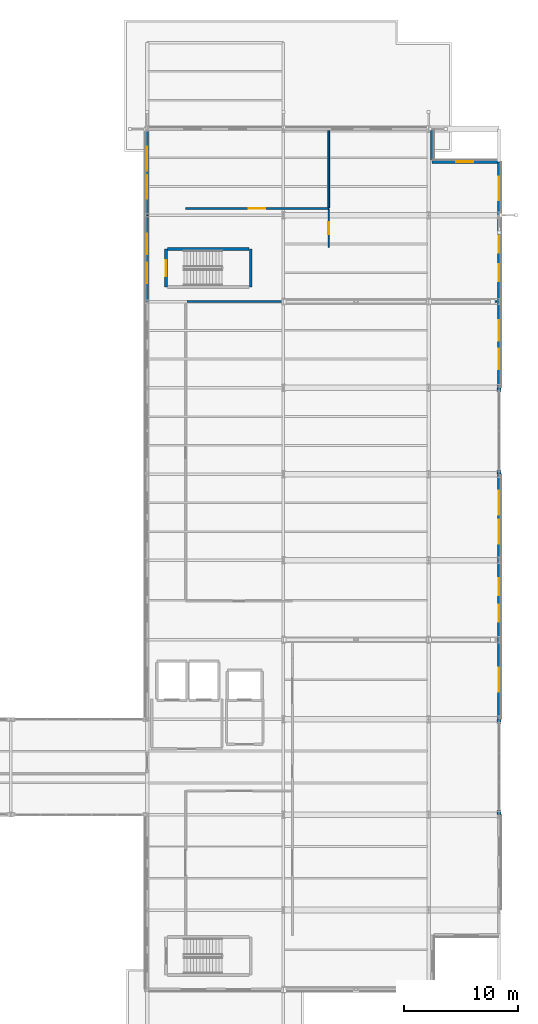
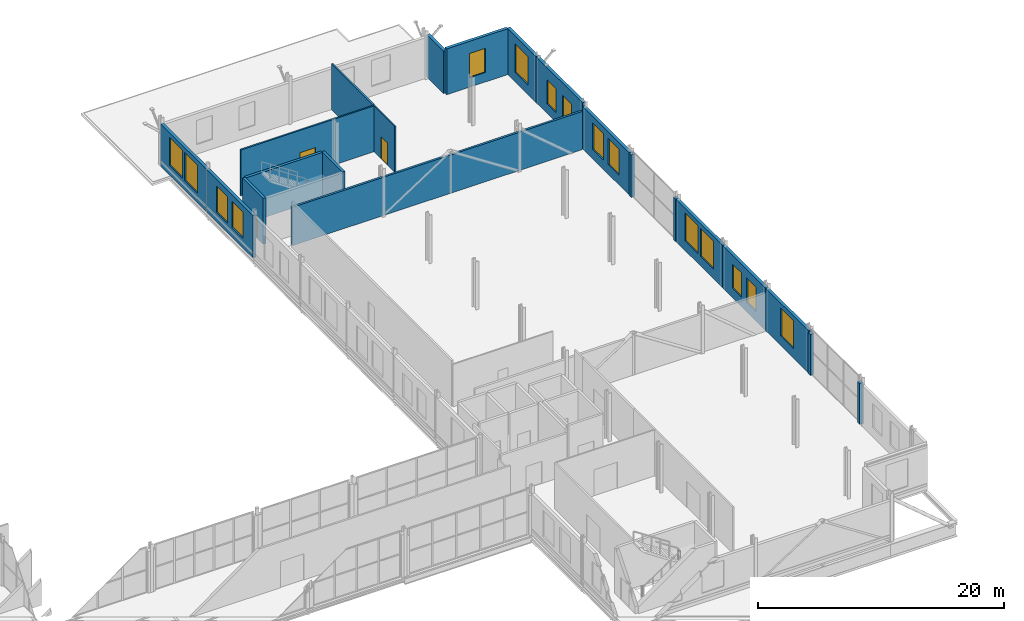
# One storey, part 102 of 120: 21 walls, 15 windows, 3 doors, 18 openings.
"""IFC4 building model written with IfcOpenShell, lengths in metres."""

from ifc_helpers import new_model, si_unit, direction, frame, frame_2d, origin, place, context, subcontext, project, spatial, rectangle, extrude, material, layer, layer_set, type_object, element, fill, save


model = new_model("IFC4")

# Units and contexts
model_context = context("Model", 3, precision=1e-05, world=origin(), true_north=direction((0.0, 1.0)))
body_context = subcontext(model_context, "Body", "Model", "MODEL_VIEW")
ifc_project = project(units=[si_unit("LENGTHUNIT", "METRE"), si_unit("AREAUNIT", "SQUARE_METRE"), si_unit("VOLUMEUNIT", "CUBIC_METRE"), si_unit("PLANEANGLEUNIT", "RADIAN"), si_unit("MASSUNIT", "GRAM", prefix="KILO")], contexts=[model_context])

# Site, building, storey
site_placement = place(None, origin())
site = spatial("IfcSite", under=ifc_project, at=site_placement, CompositionType="ELEMENT")
building_placement = place(site_placement, origin())
building = spatial("IfcBuilding", under=site, at=building_placement, Name="Vekula Escarpment Museum", CompositionType="ELEMENT")
storey_placement = place(building_placement, frame((0.0, 0.0, 13.199951171875)))
storey = spatial("IfcBuildingStorey", under=building, at=storey_placement, Name="L03", CompositionType="ELEMENT", Elevation=13.199951171875)

# Walls
ifc_material_1 = material(Name="Inkisi arkosic sandstone masonry", Category="masonry")
ifc_layer_1 = layer(ifc_material_1, 0.35009765625)
ifc_layer_set_1 = layer_set([ifc_layer_1], Name="Inkisi arkosic sandstone masonry")
wall_type_1 = type_object("IfcWallType", Name="WL-ALM-350", PredefinedType="SOLIDWALL", material=ifc_layer_set_1)
wall_1_placement = place(storey_placement, frame((198.0, 68.0, 0.0), z_axis=(0.0, 0.0, 1.0), x_axis=(0.0, 1.0, 0.0)))
element("IfcWall", 1, at=wall_1_placement, inside=storey, type_object=wall_type_1, Name="Facade Jamb Pier L03-0600A", PredefinedType="SOLIDWALL", context=body_context, shape_type="SweptSolid", body=[
    extrude(rectangle(XDim=0.360107421875, YDim=0.35009765625, at=frame_2d((0.18017578125, 0.0))), origin(), (0.0, 0.0, 1.0), 4.06494140625),
])
wall_2_placement = place(storey_placement, frame((198.0, 76.0400390625, 0.0), z_axis=(0.0, 0.0, 1.0), x_axis=(0.0, 1.0, 0.0)))
element("IfcWall", 2, at=wall_2_placement, inside=storey, type_object=wall_type_1, Name="Facade Jamb Pier L03-0601B", PredefinedType="SOLIDWALL", context=body_context, shape_type="SweptSolid", body=[
    extrude(rectangle(XDim=0.35986328125, YDim=0.35009765625, at=frame_2d((0.179931640625, 0.0))), origin(), (0.0, 0.0, 1.0), 4.06494140625),
])
for number, where, z_axis, x_axis, name in (
    (3, (198.0, 98.0, 0.0), (0.0, 0.0, 1.0), (0.0, 1.0, 0.0), "Facade Jamb Pier L03-0605A"),
    (4, (198.0, 105.239990234375, 0.0), (0.0, 0.0, 1.0), (0.0, 1.0, 0.0), "Facade Jamb Pier L03-0606B"),
):
    element("IfcWall", number, at=place(storey_placement, frame(where, z_axis=z_axis, x_axis=x_axis)), inside=storey, type_object=wall_type_1, Name=name, PredefinedType="SOLIDWALL", context=body_context, shape_type="SweptSolid", body=[
        extrude(rectangle(XDim=0.360107421875, YDim=0.35009765625, at=frame_2d((0.18017578125, 0.0))), origin(), (0.0, 0.0, 1.0), 4.215087890625),
    ])

# Wall, opening, door
ifc_material_2 = material(Name="Concrete C35/45", Category="concrete")
ifc_layer_2 = layer(ifc_material_2, 0.25)
ifc_layer_set_2 = layer_set([ifc_layer_2], Name="Concrete C35/45")
wall_type_2 = type_object("IfcWallType", Name="WL-CORE-250", PredefinedType="SHEAR", material=ifc_layer_set_2)
wall_3_placement = place(storey_placement, frame((168.675048828125, 114.47509765625, 0.0), z_axis=(0.0, 0.0, 1.0), x_axis=(0.0, 1.0, 0.0)))
wall_3 = element("IfcWall", 5, at=wall_3_placement, inside=storey, type_object=wall_type_2, Name="Stair Core Wall ST-05 L03 W", PredefinedType="SHEAR", context=body_context, shape_type="SweptSolid", body=[
    extrude(rectangle(XDim=3.349853515625, YDim=0.25, at=frame_2d((1.6748046875, 0.0))), origin(), (0.0, 0.0, 1.0), 4.56005859375),
])
opening_1_placement = place(wall_3_placement, frame((0.97509765625, 0.0, 0.0)))
opening_1 = element("IfcOpeningElement", 6, at=opening_1_placement, cuts=wall_3, Name="Opening DR-FD60", PredefinedType="OPENING", context=body_context, shape_type="SweptSolid", body=[
    extrude(rectangle(XDim=1.39990234375, YDim=2.199951171875, at=frame_2d((0.699951171875, 1.10009765625))), frame((0.0, 0.135009765625, 0.0), z_axis=(0.0, -1.0, 0.0), x_axis=(1.0, 0.0, 0.0)), (0.0, 0.0, 1.0), 0.27001953125),
])
ifc_material_3 = material(Name="Fire-rated steel stair door", Category="steel")
door_type_1 = type_object("IfcDoorType", Name="DR-STAIR-1400x2200", OperationType="NOTDEFINED", PredefinedType="DOOR", material=ifc_material_3)
door_1_placement = place(opening_1_placement, origin())
door_1 = element("IfcDoor", 7, at=door_1_placement, inside=storey, type_object=door_type_1, Name="Protected Exit Stair Door ST-05 L03", OperationType="SINGLE_SWING_RIGHT", OverallHeight=2.199951171875, OverallWidth=1.39990234375, PredefinedType="DOOR", context=body_context, shape_type="SweptSolid", body=[
    extrude(rectangle(XDim=1.39990234375, YDim=2.199951171875, at=frame_2d((0.699951171875, 1.10009765625))), frame((0.0, 0.02490234375, 0.0), z_axis=(0.0, -1.0, 0.0), x_axis=(1.0, 0.0, 0.0)), (0.0, 0.0, 1.0), 0.050048828125),
])
fill(opening_1, door_1)

# Walls
wall_4_placement = place(storey_placement, frame((176.125, 114.47509765625, 0.0), z_axis=(0.0, 0.0, 1.0), x_axis=(0.0, 1.0, 0.0)))
element("IfcWall", 8, at=wall_4_placement, inside=storey, type_object=wall_type_2, Name="Stair Core Wall ST-05 L03 E", PredefinedType="SHEAR", context=body_context, shape_type="SweptSolid", body=[
    extrude(rectangle(XDim=3.349853515625, YDim=0.25, at=frame_2d((1.6748046875, 0.0))), origin(), (0.0, 0.0, 1.0), 4.56005859375),
])
wall_5_placement = place(storey_placement, frame((168.803955078125, 117.824951171875, 0.0), z_axis=(0.0, 0.0, 1.0), x_axis=(1.0, 0.0, 0.0)))
element("IfcWall", 9, at=wall_5_placement, inside=storey, type_object=wall_type_2, Name="Stair Core Wall ST-05 L03 N", PredefinedType="SHEAR", context=body_context, shape_type="SweptSolid", body=[
    extrude(rectangle(XDim=7.192138671875, YDim=0.25, at=frame_2d((3.59619140625, 0.0))), origin(), (0.0, 0.0, 1.0), 4.56005859375),
])

# Wall, opening, window
ifc_material_4 = material(Name="Inkisi arkosic sandstone masonry", Category="masonry")
ifc_layer_3 = layer(ifc_material_4, 0.280029296875)
ifc_layer_set_3 = layer_set([ifc_layer_3], Name="Inkisi arkosic sandstone masonry")
wall_type_3 = type_object("IfcWallType", Name="WL-CUM-280", PredefinedType="SOLIDWALL", material=ifc_layer_set_3)
wall_6_placement = place(storey_placement, frame((198.0, 83.39990234375, 0.0), z_axis=(0.0, 0.0, 1.0), x_axis=(0.0, -1.0, 0.0)))
wall_6 = element("IfcWall", 10, at=wall_6_placement, inside=storey, type_object=wall_type_3, Name="Exterior Wall WL-EXT-L03-0602", PredefinedType="SOLIDWALL", context=body_context, shape_type="SweptSolid", body=[
    extrude(rectangle(XDim=7.0, YDim=0.280029296875, at=frame_2d((3.5, 0.0))), origin(), (0.0, 0.0, 1.0), 4.215087890625),
])
opening_2_placement = place(wall_6_placement, frame((2.449951171875, 0.0, 0.949951171875)))
opening_2 = element("IfcOpeningElement", 11, at=opening_2_placement, cuts=wall_6, Name="Opening WN-08", PredefinedType="OPENING", context=body_context, shape_type="SweptSolid", body=[
    extrude(rectangle(XDim=2.10009765625, YDim=2.800048828125, at=frame_2d((1.050048828125, 1.39990234375))), frame((0.0, 0.14990234375, 0.0), z_axis=(0.0, -1.0, 0.0), x_axis=(1.0, 0.0, 0.0)), (0.0, 0.0, 1.0), 0.300048828125),
])
ifc_material_5 = material(Name="Double solar-control low-E glass", Category="glass")
window_type_1 = type_object("IfcWindowType", Name="WN-CUMBA-21x28", PartitioningType="DOUBLE_PANEL_VERTICAL", PredefinedType="WINDOW", material=ifc_material_5)
window_1_placement = place(opening_2_placement, origin())
window_1 = element("IfcWindow", 12, at=window_1_placement, inside=storey, type_object=window_type_1, Name="Window L03-0279", OverallHeight=2.800048828125, OverallWidth=2.10009765625, PartitioningType="SINGLE_PANEL", PredefinedType="WINDOW", context=body_context, shape_type="SweptSolid", body=[
    extrude(rectangle(XDim=2.10009765625, YDim=2.800048828125, at=frame_2d((1.050048828125, 1.39990234375))), frame((0.0, 0.030029296875, 0.0), z_axis=(0.0, -1.0, 0.0), x_axis=(1.0, 0.0, 0.0)), (0.0, 0.0, 1.0), 0.06005859375),
])
fill(opening_2, window_1)

# Wall, openings, windows
wall_7_placement = place(storey_placement, frame((198.0, 90.39990234375, 0.0), z_axis=(0.0, 0.0, 1.0), x_axis=(0.0, -1.0, 0.0)))
wall_7 = element("IfcWall", 13, at=wall_7_placement, inside=storey, type_object=wall_type_3, Name="Exterior Wall WL-EXT-L03-0603", PredefinedType="SOLIDWALL", context=body_context, shape_type="SweptSolid", body=[
    extrude(rectangle(XDim=7.0, YDim=0.280029296875, at=frame_2d((3.5, 0.0))), origin(), (0.0, 0.0, 1.0), 4.215087890625),
])
opening_3_placement = place(wall_7_placement, frame((1.583251953125, 0.0, 0.949951171875)))
opening_3 = element("IfcOpeningElement", 14, at=opening_3_placement, cuts=wall_7, Name="Opening WN-06", PredefinedType="OPENING", context=body_context, shape_type="SweptSolid", body=[
    extrude(rectangle(XDim=1.5, YDim=2.39990234375, at=frame_2d((0.75, 1.199951171875))), frame((0.0, 0.14990234375, 0.0), z_axis=(0.0, -1.0, 0.0), x_axis=(1.0, 0.0, 0.0)), (0.0, 0.0, 1.0), 0.300048828125),
])
opening_4_placement = place(wall_7_placement, frame((3.916748046875, 0.0, 0.949951171875)))
opening_4 = element("IfcOpeningElement", 15, at=opening_4_placement, cuts=wall_7, Name="Opening WN-06", PredefinedType="OPENING", context=body_context, shape_type="SweptSolid", body=[
    extrude(rectangle(XDim=1.5, YDim=2.39990234375, at=frame_2d((0.75, 1.199951171875))), frame((0.0, 0.14990234375, 0.0), z_axis=(0.0, -1.0, 0.0), x_axis=(1.0, 0.0, 0.0)), (0.0, 0.0, 1.0), 0.300048828125),
])
ifc_material_6 = material(Name="Double solar-control low-E glass", Category="glass")
window_type_2 = type_object("IfcWindowType", Name="WN-CUMBA-15x24", PartitioningType="SINGLE_PANEL", PredefinedType="WINDOW", material=ifc_material_6)
window_2_placement = place(opening_3_placement, origin())
window_2 = element("IfcWindow", 16, at=window_2_placement, inside=storey, type_object=window_type_2, Name="Window L03-0280", OverallHeight=2.39990234375, OverallWidth=1.5, PartitioningType="SINGLE_PANEL", PredefinedType="WINDOW", context=body_context, shape_type="SweptSolid", body=[
    extrude(rectangle(XDim=1.5, YDim=2.39990234375, at=frame_2d((0.75, 1.199951171875))), frame((0.0, 0.030029296875, 0.0), z_axis=(0.0, -1.0, 0.0), x_axis=(1.0, 0.0, 0.0)), (0.0, 0.0, 1.0), 0.06005859375),
])
fill(opening_3, window_2)
window_3_placement = place(opening_4_placement, origin())
window_3 = element("IfcWindow", 17, at=window_3_placement, inside=storey, type_object=window_type_2, Name="Window L03-0281", OverallHeight=2.39990234375, OverallWidth=1.5, PartitioningType="SINGLE_PANEL", PredefinedType="WINDOW", context=body_context, shape_type="SweptSolid", body=[
    extrude(rectangle(XDim=1.5, YDim=2.39990234375, at=frame_2d((0.75, 1.199951171875))), frame((0.0, 0.030029296875, 0.0), z_axis=(0.0, -1.0, 0.0), x_axis=(1.0, 0.0, 0.0)), (0.0, 0.0, 1.0), 0.06005859375),
])
fill(opening_4, window_3)

wall_8_placement = place(storey_placement, frame((198.0, 98.0, 0.0), z_axis=(0.0, 0.0, 1.0), x_axis=(0.0, -1.0, 0.0)))
wall_8 = element("IfcWall", 18, at=wall_8_placement, inside=storey, type_object=wall_type_3, Name="Exterior Wall WL-EXT-L03-0604", PredefinedType="SOLIDWALL", context=body_context, shape_type="SweptSolid", body=[
    extrude(rectangle(XDim=7.60009765625, YDim=0.280029296875, at=frame_2d((3.800048828125, 0.0))), origin(), (0.0, 0.0, 1.0), 4.215087890625),
])
opening_5_placement = place(wall_8_placement, frame((1.4833984375, 0.0, 0.949951171875)))
opening_5 = element("IfcOpeningElement", 19, at=opening_5_placement, cuts=wall_8, Name="Opening WN-08", PredefinedType="OPENING", context=body_context, shape_type="SweptSolid", body=[
    extrude(rectangle(XDim=2.10009765625, YDim=2.800048828125, at=frame_2d((1.050048828125, 1.39990234375))), frame((0.0, 0.14990234375, 0.0), z_axis=(0.0, -1.0, 0.0), x_axis=(1.0, 0.0, 0.0)), (0.0, 0.0, 1.0), 0.300048828125),
])
opening_6_placement = place(wall_8_placement, frame((4.0166015625, 0.0, 0.949951171875)))
opening_6 = element("IfcOpeningElement", 20, at=opening_6_placement, cuts=wall_8, Name="Opening WN-08", PredefinedType="OPENING", context=body_context, shape_type="SweptSolid", body=[
    extrude(rectangle(XDim=2.10009765625, YDim=2.800048828125, at=frame_2d((1.050048828125, 1.39990234375))), frame((0.0, 0.14990234375, 0.0), z_axis=(0.0, -1.0, 0.0), x_axis=(1.0, 0.0, 0.0)), (0.0, 0.0, 1.0), 0.300048828125),
])
window_4_placement = place(opening_5_placement, origin())
window_4 = element("IfcWindow", 21, at=window_4_placement, inside=storey, type_object=window_type_1, Name="Window L03-0282", OverallHeight=2.800048828125, OverallWidth=2.10009765625, PartitioningType="SINGLE_PANEL", PredefinedType="WINDOW", context=body_context, shape_type="SweptSolid", body=[
    extrude(rectangle(XDim=2.10009765625, YDim=2.800048828125, at=frame_2d((1.050048828125, 1.39990234375))), frame((0.0, 0.030029296875, 0.0), z_axis=(0.0, -1.0, 0.0), x_axis=(1.0, 0.0, 0.0)), (0.0, 0.0, 1.0), 0.06005859375),
])
fill(opening_5, window_4)
window_5_placement = place(opening_6_placement, origin())
window_5 = element("IfcWindow", 22, at=window_5_placement, inside=storey, type_object=window_type_1, Name="Window L03-0283", OverallHeight=2.800048828125, OverallWidth=2.10009765625, PartitioningType="SINGLE_PANEL", PredefinedType="WINDOW", context=body_context, shape_type="SweptSolid", body=[
    extrude(rectangle(XDim=2.10009765625, YDim=2.800048828125, at=frame_2d((1.050048828125, 1.39990234375))), frame((0.0, 0.030029296875, 0.0), z_axis=(0.0, -1.0, 0.0), x_axis=(1.0, 0.0, 0.0)), (0.0, 0.0, 1.0), 0.06005859375),
])
fill(opening_6, window_5)

wall_9_placement = place(storey_placement, frame((198.0, 113.199951171875, 0.0), z_axis=(0.0, 0.0, 1.0), x_axis=(0.0, -1.0, 0.0)))
wall_9 = element("IfcWall", 23, at=wall_9_placement, inside=storey, type_object=wall_type_3, Name="Exterior Wall WL-EXT-L03-0607", PredefinedType="SOLIDWALL", context=body_context, shape_type="SweptSolid", body=[
    extrude(rectangle(XDim=7.599853515625, YDim=0.280029296875, at=frame_2d((3.7998046875, 0.0))), origin(), (0.0, 0.0, 1.0), 4.215087890625),
])
opening_7_placement = place(wall_9_placement, frame((1.63330078125, 0.0, 0.949951171875)))
opening_7 = element("IfcOpeningElement", 24, at=opening_7_placement, cuts=wall_9, Name="Opening WN-07", PredefinedType="OPENING", context=body_context, shape_type="SweptSolid", body=[
    extrude(rectangle(XDim=1.800048828125, YDim=2.60009765625, at=frame_2d((0.89990234375, 1.300048828125))), frame((0.0, 0.14990234375, 0.0), z_axis=(0.0, -1.0, 0.0), x_axis=(1.0, 0.0, 0.0)), (0.0, 0.0, 1.0), 0.300048828125),
])
opening_8_placement = place(wall_9_placement, frame((4.166748046875, 0.0, 0.949951171875)))
opening_8 = element("IfcOpeningElement", 25, at=opening_8_placement, cuts=wall_9, Name="Opening WN-07", PredefinedType="OPENING", context=body_context, shape_type="SweptSolid", body=[
    extrude(rectangle(XDim=1.800048828125, YDim=2.60009765625, at=frame_2d((0.89990234375, 1.300048828125))), frame((0.0, 0.14990234375, 0.0), z_axis=(0.0, -1.0, 0.0), x_axis=(1.0, 0.0, 0.0)), (0.0, 0.0, 1.0), 0.300048828125),
])
ifc_material_7 = material(Name="Double solar-control low-E glass", Category="glass")
window_type_3 = type_object("IfcWindowType", Name="WN-CUMBA-18x26", PartitioningType="DOUBLE_PANEL_VERTICAL", PredefinedType="WINDOW", material=ifc_material_7)
window_6_placement = place(opening_7_placement, origin())
window_6 = element("IfcWindow", 26, at=window_6_placement, inside=storey, type_object=window_type_3, Name="Window L03-0284", OverallHeight=2.60009765625, OverallWidth=1.800048828125, PartitioningType="SINGLE_PANEL", PredefinedType="WINDOW", context=body_context, shape_type="SweptSolid", body=[
    extrude(rectangle(XDim=1.800048828125, YDim=2.60009765625, at=frame_2d((0.89990234375, 1.300048828125))), frame((0.0, 0.030029296875, 0.0), z_axis=(0.0, -1.0, 0.0), x_axis=(1.0, 0.0, 0.0)), (0.0, 0.0, 1.0), 0.06005859375),
])
fill(opening_7, window_6)
window_7_placement = place(opening_8_placement, origin())
window_7 = element("IfcWindow", 27, at=window_7_placement, inside=storey, type_object=window_type_3, Name="Window L03-0285", OverallHeight=2.60009765625, OverallWidth=1.800048828125, PartitioningType="SINGLE_PANEL", PredefinedType="WINDOW", context=body_context, shape_type="SweptSolid", body=[
    extrude(rectangle(XDim=1.800048828125, YDim=2.60009765625, at=frame_2d((0.89990234375, 1.300048828125))), frame((0.0, 0.030029296875, 0.0), z_axis=(0.0, -1.0, 0.0), x_axis=(1.0, 0.0, 0.0)), (0.0, 0.0, 1.0), 0.06005859375),
])
fill(opening_8, window_7)

wall_10_placement = place(storey_placement, frame((198.0, 120.800048828125, 0.0), z_axis=(0.0, 0.0, 1.0), x_axis=(0.0, -1.0, 0.0)))
wall_10 = element("IfcWall", 28, at=wall_10_placement, inside=storey, type_object=wall_type_3, Name="Exterior Wall WL-EXT-L03-0608", PredefinedType="SOLIDWALL", context=body_context, shape_type="SweptSolid", body=[
    extrude(rectangle(XDim=7.60009765625, YDim=0.280029296875, at=frame_2d((3.800048828125, 0.0))), origin(), (0.0, 0.0, 1.0), 4.56005859375),
])
opening_9_placement = place(wall_10_placement, frame((1.783203125, 0.0, 0.949951171875)))
opening_9 = element("IfcOpeningElement", 29, at=opening_9_placement, cuts=wall_10, Name="Opening WN-06", PredefinedType="OPENING", context=body_context, shape_type="SweptSolid", body=[
    extrude(rectangle(XDim=1.5, YDim=2.39990234375, at=frame_2d((0.75, 1.199951171875))), frame((0.0, 0.14990234375, 0.0), z_axis=(0.0, -1.0, 0.0), x_axis=(1.0, 0.0, 0.0)), (0.0, 0.0, 1.0), 0.300048828125),
])
opening_10_placement = place(wall_10_placement, frame((4.316650390625, 0.0, 0.949951171875)))
opening_10 = element("IfcOpeningElement", 30, at=opening_10_placement, cuts=wall_10, Name="Opening WN-06", PredefinedType="OPENING", context=body_context, shape_type="SweptSolid", body=[
    extrude(rectangle(XDim=1.5, YDim=2.39990234375, at=frame_2d((0.75, 1.199951171875))), frame((0.0, 0.14990234375, 0.0), z_axis=(0.0, -1.0, 0.0), x_axis=(1.0, 0.0, 0.0)), (0.0, 0.0, 1.0), 0.300048828125),
])
window_8_placement = place(opening_9_placement, origin())
window_8 = element("IfcWindow", 31, at=window_8_placement, inside=storey, type_object=window_type_2, Name="Window L03-0286", OverallHeight=2.39990234375, OverallWidth=1.5, PartitioningType="SINGLE_PANEL", PredefinedType="WINDOW", context=body_context, shape_type="SweptSolid", body=[
    extrude(rectangle(XDim=1.5, YDim=2.39990234375, at=frame_2d((0.75, 1.199951171875))), frame((0.0, 0.030029296875, 0.0), z_axis=(0.0, -1.0, 0.0), x_axis=(1.0, 0.0, 0.0)), (0.0, 0.0, 1.0), 0.06005859375),
])
fill(opening_9, window_8)
window_9_placement = place(opening_10_placement, origin())
window_9 = element("IfcWindow", 32, at=window_9_placement, inside=storey, type_object=window_type_2, Name="Window L03-0287", OverallHeight=2.39990234375, OverallWidth=1.5, PartitioningType="SINGLE_PANEL", PredefinedType="WINDOW", context=body_context, shape_type="SweptSolid", body=[
    extrude(rectangle(XDim=1.5, YDim=2.39990234375, at=frame_2d((0.75, 1.199951171875))), frame((0.0, 0.030029296875, 0.0), z_axis=(0.0, -1.0, 0.0), x_axis=(1.0, 0.0, 0.0)), (0.0, 0.0, 1.0), 0.06005859375),
])
fill(opening_10, window_9)

# Wall, opening, window
wall_11_placement = place(storey_placement, frame((198.0, 125.511962890625, 0.0), z_axis=(0.0, 0.0, 1.0), x_axis=(0.0, -1.0, 0.0)))
wall_11 = element("IfcWall", 33, at=wall_11_placement, inside=storey, type_object=wall_type_3, Name="Exterior Wall WL-EXT-L03-0609", PredefinedType="SOLIDWALL", context=body_context, shape_type="SweptSolid", body=[
    extrude(rectangle(XDim=4.7119140625, YDim=0.280029296875, at=frame_2d((2.35595703125, 0.0))), origin(), (0.0, 0.0, 1.0), 4.56005859375),
])
opening_11_placement = place(wall_11_placement, frame((1.305908203125, 0.0, 0.949951171875)))
opening_11 = element("IfcOpeningElement", 34, at=opening_11_placement, cuts=wall_11, Name="Opening WN-08", PredefinedType="OPENING", context=body_context, shape_type="SweptSolid", body=[
    extrude(rectangle(XDim=2.10009765625, YDim=2.800048828125, at=frame_2d((1.050048828125, 1.39990234375))), frame((0.0, 0.14990234375, 0.0), z_axis=(0.0, -1.0, 0.0), x_axis=(1.0, 0.0, 0.0)), (0.0, 0.0, 1.0), 0.300048828125),
])
window_10_placement = place(opening_11_placement, origin())
window_10 = element("IfcWindow", 35, at=window_10_placement, inside=storey, type_object=window_type_1, Name="Window L03-0288", OverallHeight=2.800048828125, OverallWidth=2.10009765625, PartitioningType="SINGLE_PANEL", PredefinedType="WINDOW", context=body_context, shape_type="SweptSolid", body=[
    extrude(rectangle(XDim=2.10009765625, YDim=2.800048828125, at=frame_2d((1.050048828125, 1.39990234375))), frame((0.0, 0.030029296875, 0.0), z_axis=(0.0, -1.0, 0.0), x_axis=(1.0, 0.0, 0.0)), (0.0, 0.0, 1.0), 0.06005859375),
])
fill(opening_11, window_10)

wall_12_placement = place(storey_placement, frame((192.110107421875, 125.511962890625, 0.0), z_axis=(0.0, 0.0, 1.0), x_axis=(1.0, 0.0, 0.0)))
wall_12 = element("IfcWall", 36, at=wall_12_placement, inside=storey, type_object=wall_type_3, Name="Exterior Wall WL-EXT-L03-0610", PredefinedType="SOLIDWALL", context=body_context, shape_type="SweptSolid", body=[
    extrude(rectangle(XDim=5.745849609375, YDim=0.280029296875, at=frame_2d((2.873046875, 0.0))), origin(), (0.0, 0.0, 1.0), 4.56005859375),
])
opening_12_placement = place(wall_12_placement, frame((2.123046875, 0.0, 0.949951171875)))
opening_12 = element("IfcOpeningElement", 37, at=opening_12_placement, cuts=wall_12, Name="Opening WN-06", PredefinedType="OPENING", context=body_context, shape_type="SweptSolid", body=[
    extrude(rectangle(XDim=1.5, YDim=2.39990234375, at=frame_2d((0.75, 1.199951171875))), frame((0.0, 0.14990234375, 0.0), z_axis=(0.0, -1.0, 0.0), x_axis=(1.0, 0.0, 0.0)), (0.0, 0.0, 1.0), 0.300048828125),
])
window_11_placement = place(opening_12_placement, origin())
window_11 = element("IfcWindow", 38, at=window_11_placement, inside=storey, type_object=window_type_2, Name="Window L03-0289", OverallHeight=2.39990234375, OverallWidth=1.5, PartitioningType="SINGLE_PANEL", PredefinedType="WINDOW", context=body_context, shape_type="SweptSolid", body=[
    extrude(rectangle(XDim=1.5, YDim=2.39990234375, at=frame_2d((0.75, 1.199951171875))), frame((0.0, 0.030029296875, 0.0), z_axis=(0.0, -1.0, 0.0), x_axis=(1.0, 0.0, 0.0)), (0.0, 0.0, 1.0), 0.06005859375),
])
fill(opening_12, window_11)

# Wall
wall_13_placement = place(storey_placement, frame((192.110107421875, 128.39990234375, 0.0), z_axis=(0.0, 0.0, 1.0), x_axis=(0.0, -1.0, 0.0)))
element("IfcWall", 39, at=wall_13_placement, inside=storey, type_object=wall_type_3, Name="Exterior Wall WL-EXT-L03-0611", PredefinedType="SOLIDWALL", context=body_context, shape_type="SweptSolid", body=[
    extrude(rectangle(XDim=2.743896484375, YDim=0.280029296875, at=frame_2d((1.3720703125, 0.0))), origin(), (0.0, 0.0, 1.0), 4.215087890625),
])

# Wall, openings, windows
wall_14_placement = place(storey_placement, frame((167.0, 120.800048828125, 0.0), z_axis=(0.0, 0.0, 1.0), x_axis=(0.0, 1.0, 0.0)))
wall_14 = element("IfcWall", 40, at=wall_14_placement, inside=storey, type_object=wall_type_3, Name="Exterior Wall WL-EXT-L03-0614", PredefinedType="SOLIDWALL", context=body_context, shape_type="SweptSolid", body=[
    extrude(rectangle(XDim=7.4560546875, YDim=0.280029296875, at=frame_2d((3.72802734375, 0.0))), origin(), (0.0, 0.0, 1.0), 4.215087890625),
])
opening_13_placement = place(wall_14_placement, frame((1.435302734375, 0.0, 0.949951171875)))
opening_13 = element("IfcOpeningElement", 41, at=opening_13_placement, cuts=wall_14, Name="Opening WN-08", PredefinedType="OPENING", context=body_context, shape_type="SweptSolid", body=[
    extrude(rectangle(XDim=2.10009765625, YDim=2.800048828125, at=frame_2d((1.050048828125, 1.39990234375))), frame((0.0, 0.14990234375, 0.0), z_axis=(0.0, -1.0, 0.0), x_axis=(1.0, 0.0, 0.0)), (0.0, 0.0, 1.0), 0.300048828125),
])
opening_14_placement = place(wall_14_placement, frame((3.920654296875, 0.0, 0.949951171875)))
opening_14 = element("IfcOpeningElement", 42, at=opening_14_placement, cuts=wall_14, Name="Opening WN-08", PredefinedType="OPENING", context=body_context, shape_type="SweptSolid", body=[
    extrude(rectangle(XDim=2.10009765625, YDim=2.800048828125, at=frame_2d((1.050048828125, 1.39990234375))), frame((0.0, 0.14990234375, 0.0), z_axis=(0.0, -1.0, 0.0), x_axis=(1.0, 0.0, 0.0)), (0.0, 0.0, 1.0), 0.300048828125),
])
window_12_placement = place(opening_13_placement, origin())
window_12 = element("IfcWindow", 43, at=window_12_placement, inside=storey, type_object=window_type_1, Name="Window L03-0294", OverallHeight=2.800048828125, OverallWidth=2.10009765625, PartitioningType="SINGLE_PANEL", PredefinedType="WINDOW", context=body_context, shape_type="SweptSolid", body=[
    extrude(rectangle(XDim=2.10009765625, YDim=2.800048828125, at=frame_2d((1.050048828125, 1.39990234375))), frame((0.0, 0.030029296875, 0.0), z_axis=(0.0, -1.0, 0.0), x_axis=(1.0, 0.0, 0.0)), (0.0, 0.0, 1.0), 0.06005859375),
])
fill(opening_13, window_12)
window_13_placement = place(opening_14_placement, origin())
window_13 = element("IfcWindow", 44, at=window_13_placement, inside=storey, type_object=window_type_1, Name="Window L03-0295", OverallHeight=2.800048828125, OverallWidth=2.10009765625, PartitioningType="SINGLE_PANEL", PredefinedType="WINDOW", context=body_context, shape_type="SweptSolid", body=[
    extrude(rectangle(XDim=2.10009765625, YDim=2.800048828125, at=frame_2d((1.050048828125, 1.39990234375))), frame((0.0, 0.030029296875, 0.0), z_axis=(0.0, -1.0, 0.0), x_axis=(1.0, 0.0, 0.0)), (0.0, 0.0, 1.0), 0.06005859375),
])
fill(opening_14, window_13)

wall_15_placement = place(storey_placement, frame((167.0, 113.199951171875, 0.0), z_axis=(0.0, 0.0, 1.0), x_axis=(0.0, 1.0, 0.0)))
wall_15 = element("IfcWall", 45, at=wall_15_placement, inside=storey, type_object=wall_type_3, Name="Exterior Wall WL-EXT-L03-0615", PredefinedType="SOLIDWALL", context=body_context, shape_type="SweptSolid", body=[
    extrude(rectangle(XDim=7.60009765625, YDim=0.280029296875, at=frame_2d((3.800048828125, 0.0))), origin(), (0.0, 0.0, 1.0), 4.215087890625),
])
opening_15_placement = place(wall_15_placement, frame((1.63330078125, 0.0, 0.949951171875)))
opening_15 = element("IfcOpeningElement", 46, at=opening_15_placement, cuts=wall_15, Name="Opening WN-07", PredefinedType="OPENING", context=body_context, shape_type="SweptSolid", body=[
    extrude(rectangle(XDim=1.800048828125, YDim=2.60009765625, at=frame_2d((0.89990234375, 1.300048828125))), frame((0.0, 0.14990234375, 0.0), z_axis=(0.0, -1.0, 0.0), x_axis=(1.0, 0.0, 0.0)), (0.0, 0.0, 1.0), 0.300048828125),
])
opening_16_placement = place(wall_15_placement, frame((4.166748046875, 0.0, 0.949951171875)))
opening_16 = element("IfcOpeningElement", 47, at=opening_16_placement, cuts=wall_15, Name="Opening WN-07", PredefinedType="OPENING", context=body_context, shape_type="SweptSolid", body=[
    extrude(rectangle(XDim=1.800048828125, YDim=2.60009765625, at=frame_2d((0.89990234375, 1.300048828125))), frame((0.0, 0.14990234375, 0.0), z_axis=(0.0, -1.0, 0.0), x_axis=(1.0, 0.0, 0.0)), (0.0, 0.0, 1.0), 0.300048828125),
])
window_14_placement = place(opening_15_placement, origin())
window_14 = element("IfcWindow", 48, at=window_14_placement, inside=storey, type_object=window_type_3, Name="Window L03-0296", OverallHeight=2.60009765625, OverallWidth=1.800048828125, PartitioningType="SINGLE_PANEL", PredefinedType="WINDOW", context=body_context, shape_type="SweptSolid", body=[
    extrude(rectangle(XDim=1.800048828125, YDim=2.60009765625, at=frame_2d((0.89990234375, 1.300048828125))), frame((0.0, 0.030029296875, 0.0), z_axis=(0.0, -1.0, 0.0), x_axis=(1.0, 0.0, 0.0)), (0.0, 0.0, 1.0), 0.06005859375),
])
fill(opening_15, window_14)
window_15_placement = place(opening_16_placement, origin())
window_15 = element("IfcWindow", 49, at=window_15_placement, inside=storey, type_object=window_type_3, Name="Window L03-0297", OverallHeight=2.60009765625, OverallWidth=1.800048828125, PartitioningType="SINGLE_PANEL", PredefinedType="WINDOW", context=body_context, shape_type="SweptSolid", body=[
    extrude(rectangle(XDim=1.800048828125, YDim=2.60009765625, at=frame_2d((0.89990234375, 1.300048828125))), frame((0.0, 0.030029296875, 0.0), z_axis=(0.0, -1.0, 0.0), x_axis=(1.0, 0.0, 0.0)), (0.0, 0.0, 1.0), 0.06005859375),
])
fill(opening_16, window_15)

# Wall
ifc_material_8 = material(Name="Concrete C35/45", Category="concrete")
ifc_layer_4 = layer(ifc_material_8, 0.199951171875)
ifc_layer_set_4 = layer_set([ifc_layer_4], Name="Concrete C35/45")
wall_type_4 = type_object("IfcWallType", Name="WL-FFL-200", PredefinedType="PARTITIONING", material=ifc_layer_set_4)
wall_16_placement = place(storey_placement, frame((170.5, 113.199951171875, 0.0), z_axis=(0.0, 0.0, 1.0), x_axis=(1.0, 0.0, 0.0)))
element("IfcWall", 50, at=wall_16_placement, inside=storey, type_object=wall_type_4, Name="Transfer Truss Partition Wall 1132-1", PredefinedType="PARTITIONING", context=body_context, shape_type="SweptSolid", body=[
    extrude(rectangle(XDim=27.300048828125, YDim=0.199951171875, at=frame_2d((13.64990234375, 0.0))), origin(), (0.0, 0.0, 1.0), 3.804931640625),
])

# Wall, opening, door
ifc_material_9 = material(Name="Lightweight studio partition", Category="gypsum")
ifc_layer_5 = layer(ifc_material_9, 0.1201171875)
ifc_layer_set_5 = layer_set([ifc_layer_5], Name="Lightweight studio partition")
wall_type_5 = type_object("IfcWallType", Name="WL-PART-120", PredefinedType="PARTITIONING", material=ifc_layer_set_5)
wall_17_placement = place(storey_placement, frame((183.0, 118.0, 0.0), z_axis=(0.0, 0.0, 1.0), x_axis=(0.0, 1.0, 0.0)))
wall_17 = element("IfcWall", 51, at=wall_17_placement, inside=storey, type_object=wall_type_5, Name="Interior Partition WL-INT-L03-0009", PredefinedType="PARTITIONING", context=body_context, shape_type="SweptSolid", body=[
    extrude(rectangle(XDim=3.321044921875, YDim=0.1201171875, at=frame_2d((1.66064453125, 0.0))), origin(), (0.0, 0.0, 1.0), 4.56005859375),
])
opening_17_placement = place(wall_17_placement, frame((1.135498046875, 0.0, 0.0)))
opening_17 = element("IfcOpeningElement", 52, at=opening_17_placement, cuts=wall_17, Name="Opening DR-CR10", PredefinedType="OPENING", context=body_context, shape_type="SweptSolid", body=[
    extrude(rectangle(XDim=1.050048828125, YDim=2.199951171875, at=frame_2d((0.52490234375, 1.10009765625))), frame((0.0, 0.070068359375, 0.0), z_axis=(0.0, -1.0, 0.0), x_axis=(1.0, 0.0, 0.0)), (0.0, 0.0, 1.0), 0.14013671875),
])
ifc_material_10 = material(Name="Solid hardwood curatorial door", Category="wood")
door_type_2 = type_object("IfcDoorType", Name="DR-CUR-1050x2200", OperationType="NOTDEFINED", PredefinedType="DOOR", material=ifc_material_10)
door_2_placement = place(opening_17_placement, origin())
door_2 = element("IfcDoor", 53, at=door_2_placement, inside=storey, type_object=door_type_2, Name="Interior Door L03-009", OperationType="SINGLE_SWING_RIGHT", OverallHeight=2.199951171875, OverallWidth=1.050048828125, PredefinedType="DOOR", context=body_context, shape_type="SweptSolid", body=[
    extrude(rectangle(XDim=1.050048828125, YDim=2.199951171875, at=frame_2d((0.52490234375, 1.10009765625))), frame((0.0, 0.02490234375, 0.0), z_axis=(0.0, -1.0, 0.0), x_axis=(1.0, 0.0, 0.0)), (0.0, 0.0, 1.0), 0.050048828125),
])
fill(opening_17, door_2)

ifc_material_11 = material(Name="Gypsum board dry-lined partition", Category="gypsum")
ifc_layer_6 = layer(ifc_material_11, 0.14990234375)
ifc_layer_set_6 = layer_set([ifc_layer_6], Name="Gypsum board dry-lined partition")
wall_type_6 = type_object("IfcWallType", Name="WL-PART-150", PredefinedType="PARTITIONING", material=ifc_layer_set_6)
wall_18_placement = place(storey_placement, frame((170.39990234375, 121.39990234375, 0.0), z_axis=(0.0, 0.0, 1.0), x_axis=(1.0, 0.0, 0.0)))
wall_18 = element("IfcWall", 54, at=wall_18_placement, inside=storey, type_object=wall_type_6, Name="Interior Partition WL-INT-L03-0008", PredefinedType="PARTITIONING", context=body_context, shape_type="SweptSolid", body=[
    extrude(rectangle(XDim=12.60009765625, YDim=0.14990234375, at=frame_2d((6.300048828125, 0.0))), origin(), (0.0, 0.0, 1.0), 4.56005859375),
])
opening_18_placement = place(wall_18_placement, frame((5.574951171875, 0.0, 0.0)))
opening_18 = element("IfcOpeningElement", 55, at=opening_18_placement, cuts=wall_18, Name="Opening DR-LB14", PredefinedType="OPENING", context=body_context, shape_type="SweptSolid", body=[
    extrude(rectangle(XDim=1.449951171875, YDim=2.35009765625, at=frame_2d((0.72509765625, 1.175048828125))), frame((0.0, 0.0849609375, 0.0), z_axis=(0.0, -1.0, 0.0), x_axis=(1.0, 0.0, 0.0)), (0.0, 0.0, 1.0), 0.169921875),
])
ifc_material_12 = material(Name="Glazed timber library door", Category="wood")
door_type_3 = type_object("IfcDoorType", Name="DR-LIB-1450x2350", OperationType="NOTDEFINED", PredefinedType="DOOR", material=ifc_material_12)
door_3_placement = place(opening_18_placement, origin())
door_3 = element("IfcDoor", 56, at=door_3_placement, inside=storey, type_object=door_type_3, Name="Interior Door L03-008", OperationType="SINGLE_SWING_LEFT", OverallHeight=2.35009765625, OverallWidth=1.449951171875, PredefinedType="DOOR", context=body_context, shape_type="SweptSolid", body=[
    extrude(rectangle(XDim=1.449951171875, YDim=2.35009765625, at=frame_2d((0.72509765625, 1.175048828125))), frame((0.0, 0.02490234375, 0.0), z_axis=(0.0, -1.0, 0.0), x_axis=(1.0, 0.0, 0.0)), (0.0, 0.0, 1.0), 0.050048828125),
])
fill(opening_18, door_3)

# Wall
ifc_material_13 = material(Name="Gypsum board gallery partition", Category="gypsum")
ifc_layer_7 = layer(ifc_material_13, 0.159912109375)
ifc_layer_set_7 = layer_set([ifc_layer_7], Name="Gypsum board gallery partition")
wall_type_7 = type_object("IfcWallType", Name="WL-PART-160", PredefinedType="PARTITIONING", material=ifc_layer_set_7)
wall_19_placement = place(storey_placement, frame((183.0, 121.47900390625, 0.0), z_axis=(0.0, 0.0, 1.0), x_axis=(0.0, 1.0, 0.0)))
element("IfcWall", 57, at=wall_19_placement, inside=storey, type_object=wall_type_7, Name="Interior Partition WL-INT-L03-0010", PredefinedType="PARTITIONING", context=body_context, shape_type="SweptSolid", body=[
    extrude(rectangle(XDim=6.777099609375, YDim=0.159912109375, at=frame_2d((3.388671875, 0.0))), origin(), (0.0, 0.0, 1.0), 4.56005859375),
])

save(model, "model.ifc")
